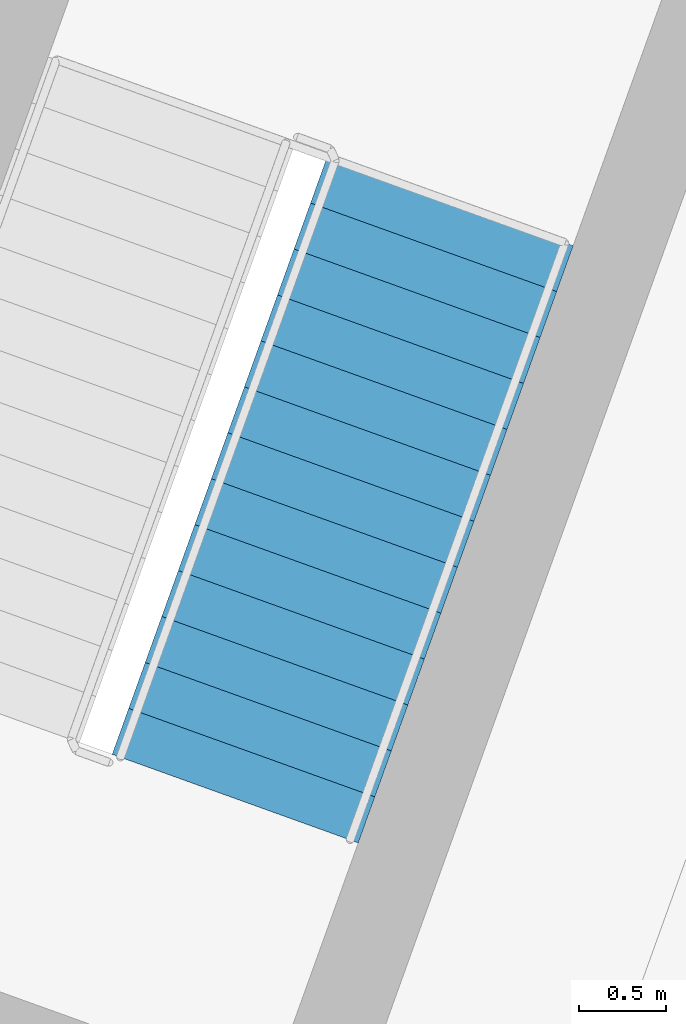
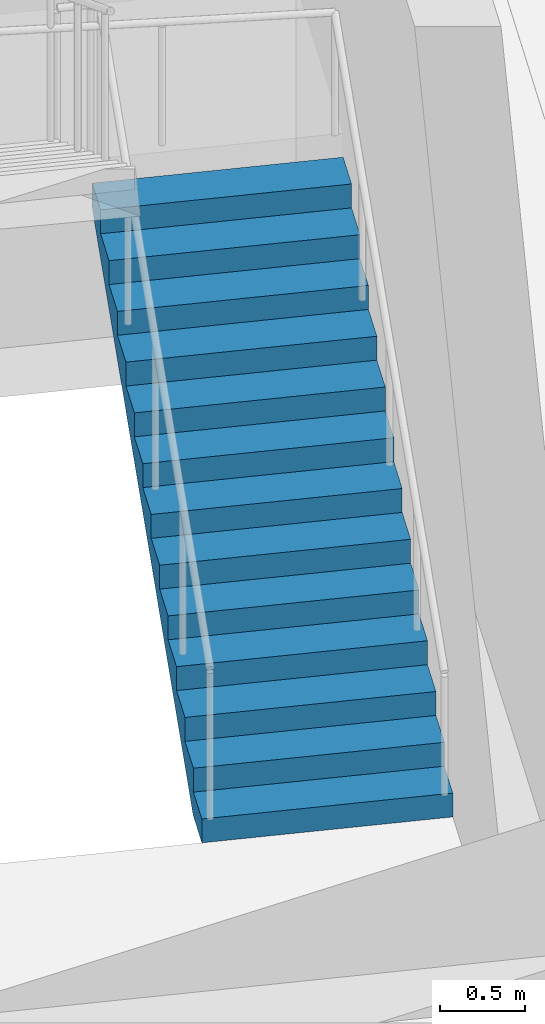
# One storey, part 16 of 17: 1 stair flight, 1 element without a shape of its own.
"""IFC4 building model written with IfcOpenShell, lengths in metres."""

from ifc_helpers import new_model, si_unit, direction, frame, origin, place, context, subcontext, project, spatial, polyline, outline, extrude, material, type_object, element, aggregate, save


model = new_model("IFC4")

# Units and contexts
model_context = context("Model", 3, precision=1e-05, world=origin(), true_north=direction((0.0, 1.0)))
body_context = subcontext(model_context, "Body", "Model", "MODEL_VIEW")
ifc_project = project(units=[si_unit("LENGTHUNIT", "METRE"), si_unit("AREAUNIT", "SQUARE_METRE"), si_unit("VOLUMEUNIT", "CUBIC_METRE"), si_unit("PLANEANGLEUNIT", "RADIAN"), si_unit("MASSUNIT", "GRAM", prefix="KILO")], contexts=[model_context])

# Site, building, storey
site_placement = place(None, origin())
site = spatial("IfcSite", under=ifc_project, at=site_placement, CompositionType="ELEMENT")
building_placement = place(site_placement, origin())
building = spatial("IfcBuilding", under=site, at=building_placement, Name="Stone Belt Terrace Tower", CompositionType="ELEMENT")
storey_placement = place(building_placement, frame((0.0, 0.0, 313.39990234375)))
storey = spatial("IfcBuildingStorey", under=building, at=storey_placement, Name="L76", CompositionType="ELEMENT", Elevation=313.39990234375)

# Stair, stair flight
ifc_material = material(Name="Concrete B40", Category="concrete")
stair_type = type_object("IfcStairType", Name="Exit stair 1500", PredefinedType="HALF_TURN_STAIR", material=ifc_material)
stair_placement = place(storey_placement, origin())
stair = element("IfcStair", 1, at=stair_placement, inside=storey, type_object=stair_type, Name="L76 Exit stair 1 core B", PredefinedType="HALF_TURN_STAIR")
stair_flight_type = type_object("IfcStairFlightType", Name="Stair flight 1500", PredefinedType="STRAIGHT", material=ifc_material)
stair_flight_placement = place(storey_placement, frame((25.15283203125, 44.9375, 0.0), z_axis=(0.0, 0.0, 1.0), x_axis=(0.338624396177, 0.940921632398, 0.0)))
stair_flight = element("IfcStairFlight", 2, at=stair_flight_placement, type_object=stair_flight_type, Name="ST1B flight 1", NumberOfRisers=14, NumberOfTreads=13, PredefinedType="STRAIGHT", RiserHeight=0.171428571, TreadLength=0.28, context=body_context, shape_type="SweptSolid", body=[
    extrude(outline(polyline([(0.0, 0.0), (0.0, 0.17138671875), (0.280029296875, 0.17138671875), (0.280029296875, 0.3427734375), (0.56005859375, 0.3427734375), (0.56005859375, 0.514404296875), (0.840087890625, 0.514404296875), (0.840087890625, 0.685791015625), (1.1201171875, 0.685791015625), (1.1201171875, 0.857177734375), (1.39990234375, 0.857177734375), (1.39990234375, 1.028564453125), (1.679931640625, 1.028564453125), (1.679931640625, 1.199951171875), (1.9599609375, 1.199951171875), (1.9599609375, 1.371337890625), (2.239990234375, 1.371337890625), (2.239990234375, 1.54296875), (2.52001953125, 1.54296875), (2.52001953125, 1.71435546875), (2.800048828125, 1.71435546875), (2.800048828125, 1.8857421875), (3.080078125, 1.8857421875), (3.080078125, 2.05712890625), (3.360107421875, 2.05712890625), (3.360107421875, 2.228515625), (3.639892578125, 2.228515625), (3.639892578125, 2.39990234375), (3.639892578125, 2.052734375), (0.287109375, 0.0), (0.0, 0.0)])), frame((0.0, 0.75, 0.0), z_axis=(0.0, -1.0, 0.0), x_axis=(1.0, 0.0, 0.0)), (0.0, 0.0, 1.0), 1.5),
])
aggregate(stair, [stair_flight])

save(model, "model.ifc")
